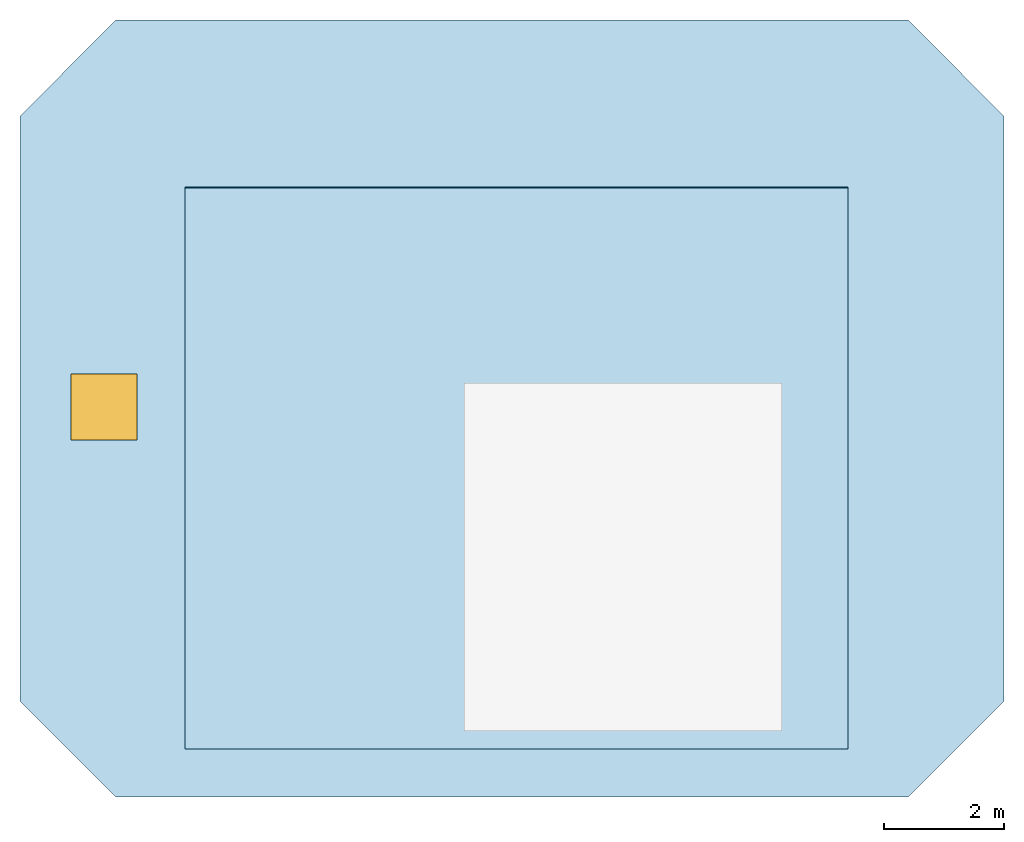
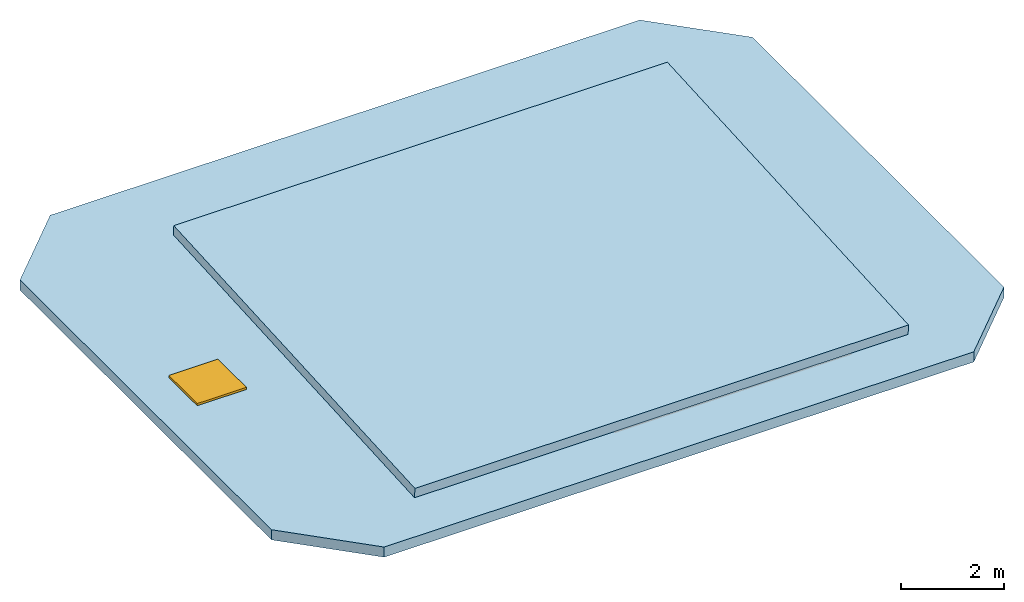
"""IFC4 building model written with IfcOpenShell, lengths in metres."""

from ifc_helpers import new_model, si_unit, direction, frame, origin, origin_2d, place, context, subcontext, project, spatial, polyline, rectangle, outline, extrude, material, layer, layer_set, type_object, element, fill, save


model = new_model("IFC4")

# Units and contexts
model_context = context("Model", 3, precision=1e-05, world=origin(), true_north=direction((0.0, 1.0)))
body_context = subcontext(model_context, "Body", "Model", "MODEL_VIEW")
ifc_project = project(units=[si_unit("LENGTHUNIT", "METRE"), si_unit("AREAUNIT", "SQUARE_METRE"), si_unit("VOLUMEUNIT", "CUBIC_METRE"), si_unit("PLANEANGLEUNIT", "RADIAN"), si_unit("MASSUNIT", "GRAM", prefix="KILO")], contexts=[model_context])

# Site, building, storey
site_placement = place(None, origin())
site = spatial("IfcSite", under=ifc_project, at=site_placement, CompositionType="ELEMENT")
building_placement = place(site_placement, origin())
building = spatial("IfcBuilding", under=site, at=building_placement, Name="Zuhayl Quay Hotel", CompositionType="ELEMENT")
storey_1_placement = place(building_placement, frame((0.0, 0.0, 318.760009765625)))
storey_1 = spatial("IfcBuildingStorey", under=building, at=storey_1_placement, Name="ROOF", CompositionType="ELEMENT", Elevation=318.760009765625)

# Slab, opening
ifc_material_1 = material(Name="Concrete C45/55", Category="concrete")
ifc_layer_1 = layer(ifc_material_1, 0.239990234375, Name="Concrete C45/55", Category="concrete")
ifc_layer_set_1 = layer_set([ifc_layer_1], Name="Concrete C45/55")
slab_type_1 = type_object("IfcSlabType", Name="SL_CROWN_ROOF_240", PredefinedType="ROOF", material=ifc_layer_set_1)
slab_1_placement = place(storey_1_placement, origin())
slab_1 = element("IfcSlab", 1, at=slab_1_placement, inside=storey_1, type_object=slab_type_1, Name="Crown 6 Top Enclosure Roof Slab", PredefinedType="ROOF", context=body_context, shape_type="SweptSolid", body=[
    extrude(outline(polyline([(-10.60009765625, 24.300048828125), (2.60009765625, 24.300048828125), (4.199951171875, 25.89990234375), (4.199951171875, 35.64990234375), (2.60009765625, 37.25), (-10.60009765625, 37.25), (-12.199951171875, 35.64990234375), (-12.199951171875, 25.89990234375), (-10.60009765625, 24.300048828125)])), origin(), (0.0, 0.0, 1.0), 0.239990234375),
])
opening_placement = place(slab_1_placement, frame((-10.800048828125, 30.800048828125, 0.0)))
opening = element("IfcOpeningElement", 2, at=opening_placement, cuts=slab_1, Name="Opening RH01", PredefinedType="OPENING", context=body_context, shape_type="SweptSolid", body=[
    extrude(rectangle(XDim=1.10009765625, YDim=1.10009765625, at=origin_2d()), frame((0.0, 0.0, -0.010009765625)), (0.0, 0.0, 1.0), 0.31005859375),
])

# Storey
storey_2_placement = place(building_placement, frame((0.0, 0.0, 316.25)))
storey_2 = spatial("IfcBuildingStorey", under=building, at=storey_2_placement, Name="Crown 6", CompositionType="ELEMENT", Elevation=316.25)

# Door
ifc_material_2 = material(Name="Steel ASTM A992 Grade 50", Category="steel")
door_type = type_object("IfcDoorType", Name="DR_ROOF_HATCH_1100", OperationType="SINGLE_SWING_LEFT", PredefinedType="TRAPDOOR", material=ifc_material_2)
door_placement = place(opening_placement, frame((0.0, 0.0, 0.239990234375)))
door = element("IfcDoor", 3, at=door_placement, inside=storey_2, type_object=door_type, Name="Crown Top Roof Maintenance Hatch RH01-06", OperationType="SINGLE_SWING_LEFT", OverallHeight=1.10009765625, OverallWidth=1.10009765625, PredefinedType="TRAPDOOR", context=body_context, shape_type="SweptSolid", body=[
    extrude(rectangle(XDim=1.10009765625, YDim=1.10009765625, at=origin_2d()), origin(), (0.0, 0.0, 1.0), 0.050048828125),
])

fill(opening, door)

# Slab
ifc_layer_2 = layer(ifc_material_1, 0.22998046875, Name="Concrete C45/55", Category="concrete")
ifc_layer_set_2 = layer_set([ifc_layer_2], Name="Concrete C45/55")
slab_type_2 = type_object("IfcSlabType", Name="SL_CROWN_SLOPED_230", PredefinedType="ROOF", material=ifc_layer_set_2)
slab_2_placement = place(storey_1_placement, frame((-9.449951171875, 25.10009765625, 0.739990234375), z_axis=(0.0, -0.058728134127, 0.998274013616), x_axis=(1.0, 0.0, 0.0)))
element("IfcSlab", 4, at=slab_2_placement, inside=storey_1, type_object=slab_type_2, Name="Crown 6 Sloped Constructivist Ridge Roof Slab", PredefinedType="ROOF", context=body_context, shape_type="SweptSolid", body=[
    extrude(outline(polyline([(0.0, 0.0), (11.050048828125, 0.0), (11.050048828125, 9.366019137123674), (0.0, 9.366019137123674), (0.0, 0.0)])), origin(), (0.0, 0.0, -1.0), 0.22998046875),
])

save(model, "model.ifc")
